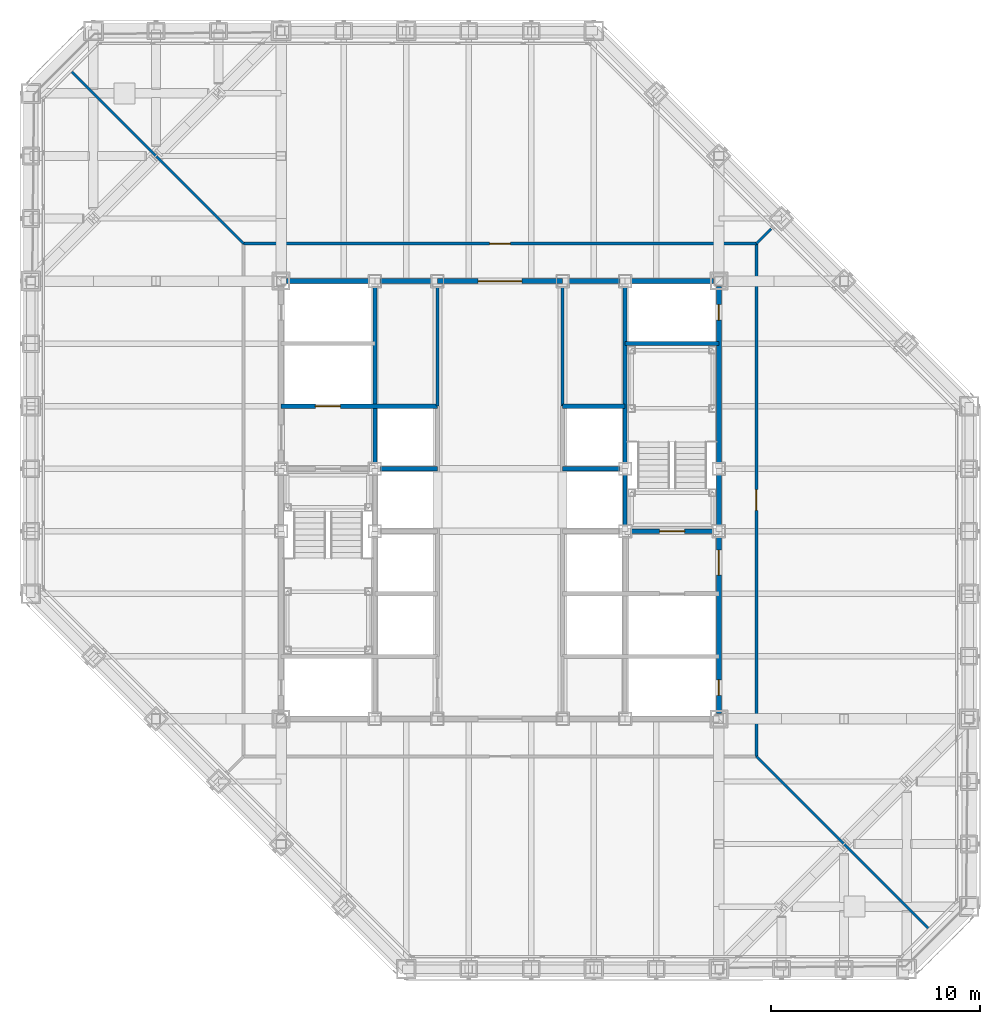
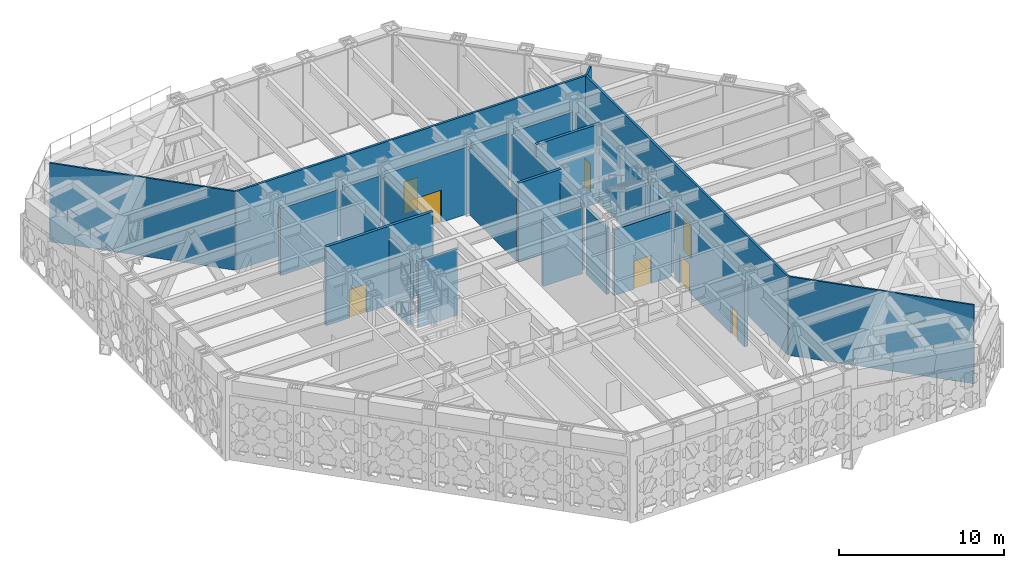
# One storey, part 11 of 28: 24 walls, 8 doors, 8 openings.
"""IFC4 building model written with IfcOpenShell, lengths in metres."""

from ifc_helpers import new_model, si_unit, direction, frame, frame_2d, origin, place, context, subcontext, project, spatial, rectangle, extrude, material, layer, layer_set, type_object, element, fill, save


model = new_model("IFC4")

# Units and contexts
model_context = context("Model", 3, precision=1e-05, world=origin(), true_north=direction((0.0, 1.0)))
body_context = subcontext(model_context, "Body", "Model", "MODEL_VIEW")
ifc_project = project(units=[si_unit("LENGTHUNIT", "METRE"), si_unit("AREAUNIT", "SQUARE_METRE"), si_unit("VOLUMEUNIT", "CUBIC_METRE"), si_unit("PLANEANGLEUNIT", "RADIAN"), si_unit("MASSUNIT", "GRAM", prefix="KILO")], contexts=[model_context])

# Site, building, storey
site_placement = place(None, origin())
site = spatial("IfcSite", under=ifc_project, at=site_placement, CompositionType="ELEMENT")
building_placement = place(site_placement, origin())
building = spatial("IfcBuilding", under=site, at=building_placement, Name="Chuquiago Exchange Tower", CompositionType="ELEMENT")
storey_placement = place(building_placement, frame((0.0, 0.0, 174.0)))
storey = spatial("IfcBuildingStorey", under=building, at=storey_placement, Name="L38", CompositionType="ELEMENT", Elevation=174.0)

# Walls
ifc_material_1 = material(Name="Concrete masonry, fully grouted", Category="masonry")
ifc_layer_1 = layer(ifc_material_1, 0.25)
ifc_layer_set_1 = layer_set([ifc_layer_1], Name="W1 core wall 250")
wall_type_1 = type_object("IfcWallType", Name="W1 core wall 250", PredefinedType="SOLIDWALL", material=ifc_layer_set_1)
wall_1_placement = place(storey_placement, frame((12.25, 33.0, 0.0), z_axis=(0.0, 0.0, 1.0), x_axis=(1.0, 0.0, 0.0)))
element("IfcWall", 1, at=wall_1_placement, inside=storey, type_object=wall_type_1, Name="CW-L38-11-0", PredefinedType="SOLIDWALL", context=body_context, shape_type="SweptSolid", body=[
    extrude(rectangle(XDim=4.0, YDim=0.25, at=frame_2d((2.0, 0.0))), origin(), (0.0, 0.0, 1.0), 4.9814453125),
])
for number, where, z_axis, x_axis, name in (
    (2, (16.75, 33.0, 0.0), (0.0, 0.0, 1.0), (1.0, 0.0, 0.0), "CW-L38-11-1"),
    (3, (25.75, 33.0, 0.0), (0.0, 0.0, 1.0), (1.0, 0.0, 0.0), "CW-L38-12-0"),
):
    element("IfcWall", number, at=place(storey_placement, frame(where, z_axis=z_axis, x_axis=x_axis)), inside=storey, type_object=wall_type_1, Name=name, PredefinedType="SOLIDWALL", context=body_context, shape_type="SweptSolid", body=[
        extrude(rectangle(XDim=2.5, YDim=0.25, at=frame_2d((1.25, 0.0))), origin(), (0.0, 0.0, 1.0), 4.9814453125),
    ])
wall_2_placement = place(storey_placement, frame((28.75, 33.0, 0.0), z_axis=(0.0, 0.0, 1.0), x_axis=(1.0, 0.0, 0.0)))
element("IfcWall", 4, at=wall_2_placement, inside=storey, type_object=wall_type_1, Name="CW-L38-12-1", PredefinedType="SOLIDWALL", context=body_context, shape_type="SweptSolid", body=[
    extrude(rectangle(XDim=4.0, YDim=0.25, at=frame_2d((2.0, 0.0))), origin(), (0.0, 0.0, 1.0), 4.9814453125),
])

# Wall, openings, doors
wall_3_placement = place(storey_placement, frame((33.0, 12.25, 0.0), z_axis=(0.0, 0.0, 1.0), x_axis=(0.0, 1.0, 0.0)))
wall_3 = element("IfcWall", 5, at=wall_3_placement, inside=storey, type_object=wall_type_1, Name="CW-L38-25-0", PredefinedType="SOLIDWALL", context=body_context, shape_type="SweptSolid", body=[
    extrude(rectangle(XDim=8.5, YDim=0.25, at=frame_2d((4.25, 0.0))), origin(), (0.0, 0.0, 1.0), 4.912841796875),
])
opening_1_placement = place(wall_3_placement, frame((6.64990234375, 0.0, 0.0)))
opening_1 = element("IfcOpeningElement", 6, at=opening_1_placement, cuts=wall_3, Name="Opening L38-006", PredefinedType="OPENING", context=body_context, shape_type="SweptSolid", body=[
    extrude(rectangle(XDim=1.199951171875, YDim=2.10009765625, at=frame_2d((0.60009765625, 1.050048828125))), frame((0.0, 0.135009765625, 0.0), z_axis=(0.0, -1.0, 0.0), x_axis=(1.0, 0.0, 0.0)), (0.0, 0.0, 1.0), 0.27001953125),
])
opening_2_placement = place(wall_3_placement, frame((0.875, 0.0, 0.0)))
opening_2 = element("IfcOpeningElement", 7, at=opening_2_placement, cuts=wall_3, Name="Opening L38-011", PredefinedType="OPENING", context=body_context, shape_type="SweptSolid", body=[
    extrude(rectangle(XDim=0.75, YDim=2.10009765625, at=frame_2d((0.375, 1.050048828125))), frame((0.0, 0.135009765625, 0.0), z_axis=(0.0, -1.0, 0.0), x_axis=(1.0, 0.0, 0.0)), (0.0, 0.0, 1.0), 0.27001953125),
])
ifc_material_2 = material(Name="Steel door, painted", Category="steel")
door_type_1 = type_object("IfcDoorType", Name="D5 firefighting lobby door 1200x2100", OperationType="SINGLE_SWING_LEFT", PredefinedType="DOOR", material=ifc_material_2)
door_1_placement = place(opening_1_placement, origin())
door_1 = element("IfcDoor", 8, at=door_1_placement, inside=storey, type_object=door_type_1, Name="Firefighting lobby 2 door", OperationType="SINGLE_SWING_RIGHT", OverallHeight=2.10009765625, OverallWidth=1.199951171875, PredefinedType="DOOR", context=body_context, shape_type="SweptSolid", body=[
    extrude(rectangle(XDim=1.199951171875, YDim=2.10009765625, at=frame_2d((0.60009765625, 1.050048828125))), frame((0.0, 0.02490234375, 0.0), z_axis=(0.0, -1.0, 0.0), x_axis=(1.0, 0.0, 0.0)), (0.0, 0.0, 1.0), 0.050048828125),
])
fill(opening_1, door_1)
ifc_material_3 = material(Name="Steel door, painted", Category="steel")
door_type_2 = type_object("IfcDoorType", Name="D6 riser access door 750x2100", OperationType="SINGLE_SWING_LEFT", PredefinedType="DOOR", material=ifc_material_3)
door_2_placement = place(opening_2_placement, origin())
door_2 = element("IfcDoor", 9, at=door_2_placement, inside=storey, type_object=door_type_2, Name="Riser RE1 door", OperationType="SINGLE_SWING_LEFT", OverallHeight=2.10009765625, OverallWidth=0.75, PredefinedType="DOOR", context=body_context, shape_type="SweptSolid", body=[
    extrude(rectangle(XDim=0.75, YDim=2.10009765625, at=frame_2d((0.375, 1.050048828125))), frame((0.0, 0.02490234375, 0.0), z_axis=(0.0, -1.0, 0.0), x_axis=(1.0, 0.0, 0.0)), (0.0, 0.0, 1.0), 0.050048828125),
])
fill(opening_2, door_2)

# Wall
wall_4_placement = place(storey_placement, frame((33.0, 21.25, 0.0), z_axis=(0.0, 0.0, 1.0), x_axis=(0.0, 1.0, 0.0)))
element("IfcWall", 10, at=wall_4_placement, inside=storey, type_object=wall_type_1, Name="CW-L38-25-1", PredefinedType="SOLIDWALL", context=body_context, shape_type="SweptSolid", body=[
    extrude(rectangle(XDim=2.5, YDim=0.25, at=frame_2d((1.25, 0.0))), origin(), (0.0, 0.0, 1.0), 4.912841796875),
])

# Wall, opening, door
wall_5_placement = place(storey_placement, frame((33.0, 24.25, 0.0), z_axis=(0.0, 0.0, 1.0), x_axis=(0.0, 1.0, 0.0)))
wall_5 = element("IfcWall", 11, at=wall_5_placement, inside=storey, type_object=wall_type_1, Name="CW-L38-25-2", PredefinedType="SOLIDWALL", context=body_context, shape_type="SweptSolid", body=[
    extrude(rectangle(XDim=8.5, YDim=0.25, at=frame_2d((4.25, 0.0))), origin(), (0.0, 0.0, 1.0), 4.912841796875),
])
opening_3_placement = place(wall_5_placement, frame((6.875, 0.0, 0.0)))
opening_3 = element("IfcOpeningElement", 12, at=opening_3_placement, cuts=wall_5, Name="Opening L38-012", PredefinedType="OPENING", context=body_context, shape_type="SweptSolid", body=[
    extrude(rectangle(XDim=0.75, YDim=2.10009765625, at=frame_2d((0.375, 1.050048828125))), frame((0.0, 0.135009765625, 0.0), z_axis=(0.0, -1.0, 0.0), x_axis=(1.0, 0.0, 0.0)), (0.0, 0.0, 1.0), 0.27001953125),
])
door_3_placement = place(opening_3_placement, origin())
door_3 = element("IfcDoor", 13, at=door_3_placement, inside=storey, type_object=door_type_2, Name="Riser RE2 door", OperationType="SINGLE_SWING_RIGHT", OverallHeight=2.10009765625, OverallWidth=0.75, PredefinedType="DOOR", context=body_context, shape_type="SweptSolid", body=[
    extrude(rectangle(XDim=0.75, YDim=2.10009765625, at=frame_2d((0.375, 1.050048828125))), frame((0.0, 0.02490234375, 0.0), z_axis=(0.0, -1.0, 0.0), x_axis=(1.0, 0.0, 0.0)), (0.0, 0.0, 1.0), 0.050048828125),
])
fill(opening_3, door_3)

wall_6_placement = place(storey_placement, frame((19.5, 33.0, 0.0), z_axis=(0.0, 0.0, 1.0), x_axis=(1.0, 0.0, 0.0)))
wall_6 = element("IfcWall", 14, at=wall_6_placement, inside=storey, type_object=wall_type_1, Name="CW-L38-LLN", PredefinedType="SOLIDWALL", context=body_context, shape_type="SweptSolid", body=[
    extrude(rectangle(XDim=6.0, YDim=0.25, at=frame_2d((3.0, 0.0))), origin(), (0.0, 0.0, 1.0), 4.9814453125),
])
opening_4_placement = place(wall_6_placement, frame((1.949951171875, 0.0, 0.0)))
opening_4 = element("IfcOpeningElement", 15, at=opening_4_placement, cuts=wall_6, Name="Opening L38-002", PredefinedType="OPENING", context=body_context, shape_type="SweptSolid", body=[
    extrude(rectangle(XDim=2.10009765625, YDim=2.39990234375, at=frame_2d((1.050048828125, 1.199951171875))), frame((0.0, 0.135009765625, 0.0), z_axis=(0.0, -1.0, 0.0), x_axis=(1.0, 0.0, 0.0)), (0.0, 0.0, 1.0), 0.27001953125),
])
ifc_material_4 = material(Name="Steel door, painted", Category="steel")
door_type_3 = type_object("IfcDoorType", Name="D11 plant room double door 2100x2400", OperationType="DOUBLE_DOOR_DOUBLE_SWING", PredefinedType="DOOR", material=ifc_material_4)
door_4_placement = place(opening_4_placement, origin())
door_4 = element("IfcDoor", 16, at=door_4_placement, inside=storey, type_object=door_type_3, Name="Plant room door N", OperationType="DOUBLE_DOOR_DOUBLE_SWING", OverallHeight=2.39990234375, OverallWidth=2.10009765625, PredefinedType="DOOR", context=body_context, shape_type="SweptSolid", body=[
    extrude(rectangle(XDim=2.10009765625, YDim=2.39990234375, at=frame_2d((1.050048828125, 1.199951171875))), frame((0.0, 0.02490234375, 0.0), z_axis=(0.0, -1.0, 0.0), x_axis=(1.0, 0.0, 0.0)), (0.0, 0.0, 1.0), 0.050048828125),
])
fill(opening_4, door_4)

ifc_material_5 = material(Name="Gypsum board on steel studs, acoustic insulation", Category="steel")
ifc_layer_2 = layer(ifc_material_5, 0.14990234375)
ifc_layer_set_2 = layer_set([ifc_layer_2], Name="W11 corridor wall 150")
wall_type_2 = type_object("IfcWallType", Name="W11 corridor wall 150", PredefinedType="PARTITIONING", material=ifc_layer_set_2)
wall_7_placement = place(storey_placement, frame((10.199951171875, 34.800048828125, 0.0), z_axis=(0.0, 0.0, 1.0), x_axis=(1.0, 0.0, 0.0)))
wall_7 = element("IfcWall", 17, at=wall_7_placement, inside=storey, type_object=wall_type_2, Name="PW-L38-PCN", PredefinedType="PARTITIONING", context=body_context, shape_type="SweptSolid", body=[
    extrude(rectangle(XDim=24.60009765625, YDim=0.14990234375, at=frame_2d((12.300048828125, 0.0))), origin(), (0.0, 0.0, 1.0), 5.840087890625),
])
opening_5_placement = place(wall_7_placement, frame((11.800048828125, 0.0, 0.0)))
opening_5 = element("IfcOpeningElement", 18, at=opening_5_placement, cuts=wall_7, Name="Opening L38-015", PredefinedType="OPENING", context=body_context, shape_type="SweptSolid", body=[
    extrude(rectangle(XDim=1.0, YDim=2.39990234375, at=frame_2d((0.5, 1.199951171875))), frame((0.0, 0.0849609375, 0.0), z_axis=(0.0, -1.0, 0.0), x_axis=(1.0, 0.0, 0.0)), (0.0, 0.0, 1.0), 0.169921875),
])
ifc_material_6 = material(Name="Timber door, laminate faced", Category="wood")
door_type_4 = type_object("IfcDoorType", Name="D9 room door 1000x2400", OperationType="SINGLE_SWING_LEFT", PredefinedType="DOOR", material=ifc_material_6)
door_5_placement = place(opening_5_placement, origin())
door_5 = element("IfcDoor", 19, at=door_5_placement, inside=storey, type_object=door_type_4, Name="Plant corridor north door", OperationType="SINGLE_SWING_RIGHT", OverallHeight=2.39990234375, OverallWidth=1.0, PredefinedType="DOOR", context=body_context, shape_type="SweptSolid", body=[
    extrude(rectangle(XDim=1.0, YDim=2.39990234375, at=frame_2d((0.5, 1.199951171875))), frame((0.0, 0.02490234375, 0.0), z_axis=(0.0, -1.0, 0.0), x_axis=(1.0, 0.0, 0.0)), (0.0, 0.0, 1.0), 0.050048828125),
])
fill(opening_5, door_5)

wall_8_placement = place(storey_placement, frame((34.800048828125, 10.199951171875, 0.0), z_axis=(0.0, 0.0, 1.0), x_axis=(0.0, 1.0, 0.0)))
wall_8 = element("IfcWall", 20, at=wall_8_placement, inside=storey, type_object=wall_type_2, Name="PW-L38-PCE", PredefinedType="PARTITIONING", context=body_context, shape_type="SweptSolid", body=[
    extrude(rectangle(XDim=24.60009765625, YDim=0.14990234375, at=frame_2d((12.300048828125, 0.0))), origin(), (0.0, 0.0, 1.0), 5.840087890625),
])
opening_6_placement = place(wall_8_placement, frame((11.800048828125, 0.0, 0.0)))
opening_6 = element("IfcOpeningElement", 21, at=opening_6_placement, cuts=wall_8, Name="Opening L38-017", PredefinedType="OPENING", context=body_context, shape_type="SweptSolid", body=[
    extrude(rectangle(XDim=1.0, YDim=2.39990234375, at=frame_2d((0.5, 1.199951171875))), frame((0.0, 0.0849609375, 0.0), z_axis=(0.0, -1.0, 0.0), x_axis=(1.0, 0.0, 0.0)), (0.0, 0.0, 1.0), 0.169921875),
])
door_6_placement = place(opening_6_placement, frame((1.0, 0.0, 0.0), z_axis=(0.0, 0.0, 1.0), x_axis=(-1.0, 0.0, 0.0)))
door_6 = element("IfcDoor", 22, at=door_6_placement, inside=storey, type_object=door_type_4, Name="Plant corridor east door", OperationType="SINGLE_SWING_LEFT", OverallHeight=2.39990234375, OverallWidth=1.0, PredefinedType="DOOR", context=body_context, shape_type="SweptSolid", body=[
    extrude(rectangle(XDim=1.0, YDim=2.39990234375, at=frame_2d((0.5, 1.199951171875))), frame((0.0, 0.02490234375, 0.0), z_axis=(0.0, -1.0, 0.0), x_axis=(1.0, 0.0, 0.0)), (0.0, 0.0, 1.0), 0.050048828125),
])
fill(opening_6, door_6)

# Walls
ifc_material_7 = material(Name="Concrete masonry, fully grouted", Category="masonry")
ifc_layer_3 = layer(ifc_material_7, 0.199951171875)
ifc_layer_set_3 = layer_set([ifc_layer_3], Name="W2 shaft wall 200")
wall_type_3 = type_object("IfcWallType", Name="W2 shaft wall 200", PredefinedType="SOLIDWALL", material=ifc_layer_set_3)
for number, where, z_axis, x_axis, name in (
    (23, (16.75, 24.0, 0.0), (0.0, 0.0, 1.0), (1.0, 0.0, 0.0), "CW-L38-05-1"),
    (24, (25.5, 24.0, 0.0), (0.0, 0.0, 1.0), (1.0, 0.0, 0.0), "CW-L38-06-0"),
):
    element("IfcWall", number, at=place(storey_placement, frame(where, z_axis=z_axis, x_axis=x_axis)), inside=storey, type_object=wall_type_3, Name=name, PredefinedType="SOLIDWALL", context=body_context, shape_type="SweptSolid", body=[
        extrude(rectangle(XDim=2.75, YDim=0.199951171875, at=frame_2d((1.375, 0.0))), origin(), (0.0, 0.0, 1.0), 4.889892578125),
    ])

# Wall, opening, door
wall_9_placement = place(storey_placement, frame((12.0, 27.0, 0.0), z_axis=(0.0, 0.0, 1.0), x_axis=(1.0, 0.0, 0.0)))
wall_9 = element("IfcWall", 25, at=wall_9_placement, inside=storey, type_object=wall_type_3, Name="CW-L38-07-0", PredefinedType="SOLIDWALL", context=body_context, shape_type="SweptSolid", body=[
    extrude(rectangle(XDim=7.5, YDim=0.199951171875, at=frame_2d((3.75, 0.0))), origin(), (0.0, 0.0, 1.0), 5.840087890625),
])
opening_7_placement = place(wall_9_placement, frame((1.64990234375, 0.0, 0.0)))
opening_7 = element("IfcOpeningElement", 26, at=opening_7_placement, cuts=wall_9, Name="Opening L38-007", PredefinedType="OPENING", context=body_context, shape_type="SweptSolid", body=[
    extrude(rectangle(XDim=1.199951171875, YDim=2.10009765625, at=frame_2d((0.60009765625, 1.050048828125))), frame((0.0, 0.10986328125, 0.0), z_axis=(0.0, -1.0, 0.0), x_axis=(1.0, 0.0, 0.0)), (0.0, 0.0, 1.0), 0.219970703125),
])
ifc_material_8 = material(Name="Stainless steel lift landing door", Category="steel")
door_type_5 = type_object("IfcDoorType", Name="LD2 firefighting lift landing door 1200x2100", OperationType="DOUBLE_DOOR_SLIDING", PredefinedType="DOOR", material=ifc_material_8)
door_7_placement = place(opening_7_placement, origin())
door_7 = element("IfcDoor", 27, at=door_7_placement, inside=storey, type_object=door_type_5, Name="Firefighting lift FL1 landing door", OperationType="DOUBLE_DOOR_SLIDING", OverallHeight=2.10009765625, OverallWidth=1.199951171875, PredefinedType="DOOR", context=body_context, shape_type="SweptSolid", body=[
    extrude(rectangle(XDim=1.199951171875, YDim=2.10009765625, at=frame_2d((0.60009765625, 1.050048828125))), frame((0.0, 0.02490234375, 0.0), z_axis=(0.0, -1.0, 0.0), x_axis=(1.0, 0.0, 0.0)), (0.0, 0.0, 1.0), 0.050048828125),
])
fill(opening_7, door_7)

# Walls
wall_10_placement = place(storey_placement, frame((25.5, 27.0, 0.0), z_axis=(0.0, 0.0, 1.0), x_axis=(1.0, 0.0, 0.0)))
element("IfcWall", 28, at=wall_10_placement, inside=storey, type_object=wall_type_3, Name="CW-L38-08-0", PredefinedType="SOLIDWALL", context=body_context, shape_type="SweptSolid", body=[
    extrude(rectangle(XDim=3.0, YDim=0.199951171875, at=frame_2d((1.5, 0.0))), origin(), (0.0, 0.0, 1.0), 5.840087890625),
])
wall_11_placement = place(storey_placement, frame((28.5, 30.0, 0.0), z_axis=(0.0, 0.0, 1.0), x_axis=(1.0, 0.0, 0.0)))
element("IfcWall", 29, at=wall_11_placement, inside=storey, type_object=wall_type_3, Name="CW-L38-10-0", PredefinedType="SOLIDWALL", context=body_context, shape_type="SweptSolid", body=[
    extrude(rectangle(XDim=4.5, YDim=0.199951171875, at=frame_2d((2.25, 0.0))), origin(), (0.0, 0.0, 1.0), 5.840087890625),
])
wall_12_placement = place(storey_placement, frame((16.5, 24.25, 0.0), z_axis=(0.0, 0.0, 1.0), x_axis=(0.0, 1.0, 0.0)))
element("IfcWall", 30, at=wall_12_placement, inside=storey, type_object=wall_type_3, Name="CW-L38-13-2", PredefinedType="SOLIDWALL", context=body_context, shape_type="SweptSolid", body=[
    extrude(rectangle(XDim=8.5, YDim=0.199951171875, at=frame_2d((4.25, 0.0))), origin(), (0.0, 0.0, 1.0), 4.912841796875),
])

# Wall, opening, door
wall_13_placement = place(storey_placement, frame((28.75, 21.0, 0.0), z_axis=(0.0, 0.0, 1.0), x_axis=(1.0, 0.0, 0.0)))
wall_13 = element("IfcWall", 31, at=wall_13_placement, inside=storey, type_object=wall_type_3, Name="CW-L38-17-1", PredefinedType="SOLIDWALL", context=body_context, shape_type="SweptSolid", body=[
    extrude(rectangle(XDim=4.0, YDim=0.199951171875, at=frame_2d((2.0, 0.0))), origin(), (0.0, 0.0, 1.0), 4.889892578125),
])
opening_8_placement = place(wall_13_placement, frame((1.39990234375, 0.0, 0.0)))
opening_8 = element("IfcOpeningElement", 32, at=opening_8_placement, cuts=wall_13, Name="Opening L38-005", PredefinedType="OPENING", context=body_context, shape_type="SweptSolid", body=[
    extrude(rectangle(XDim=1.199951171875, YDim=2.10009765625, at=frame_2d((0.60009765625, 1.050048828125))), frame((0.0, 0.10986328125, 0.0), z_axis=(0.0, -1.0, 0.0), x_axis=(1.0, 0.0, 0.0)), (0.0, 0.0, 1.0), 0.219970703125),
])
ifc_material_9 = material(Name="Steel door, painted", Category="steel")
door_type_6 = type_object("IfcDoorType", Name="D4 stair door 1200x2100", OperationType="SINGLE_SWING_LEFT", PredefinedType="DOOR", material=ifc_material_9)
door_8_placement = place(opening_8_placement, origin())
door_8 = element("IfcDoor", 33, at=door_8_placement, inside=storey, type_object=door_type_6, Name="Stair ST2 door", OperationType="SINGLE_SWING_LEFT", OverallHeight=2.10009765625, OverallWidth=1.199951171875, PredefinedType="DOOR", context=body_context, shape_type="SweptSolid", body=[
    extrude(rectangle(XDim=1.199951171875, YDim=2.10009765625, at=frame_2d((0.60009765625, 1.050048828125))), frame((0.0, 0.02490234375, 0.0), z_axis=(0.0, -1.0, 0.0), x_axis=(1.0, 0.0, 0.0)), (0.0, 0.0, 1.0), 0.050048828125),
])
fill(opening_8, door_8)

# Walls
wall_14_placement = place(storey_placement, frame((28.5, 21.25, 0.0), z_axis=(0.0, 0.0, 1.0), x_axis=(0.0, 1.0, 0.0)))
element("IfcWall", 34, at=wall_14_placement, inside=storey, type_object=wall_type_3, Name="CW-L38-24-1", PredefinedType="SOLIDWALL", context=body_context, shape_type="SweptSolid", body=[
    extrude(rectangle(XDim=2.5, YDim=0.199951171875, at=frame_2d((1.25, 0.0))), origin(), (0.0, 0.0, 1.0), 4.912841796875),
])
wall_15_placement = place(storey_placement, frame((28.5, 24.25, 0.0), z_axis=(0.0, 0.0, 1.0), x_axis=(0.0, 1.0, 0.0)))
element("IfcWall", 35, at=wall_15_placement, inside=storey, type_object=wall_type_3, Name="CW-L38-24-2", PredefinedType="SOLIDWALL", context=body_context, shape_type="SweptSolid", body=[
    extrude(rectangle(XDim=8.5, YDim=0.199951171875, at=frame_2d((4.25, 0.0))), origin(), (0.0, 0.0, 1.0), 4.912841796875),
])
ifc_material_10 = material(Name="Gypsum board on steel studs", Category="steel")
ifc_layer_4 = layer(ifc_material_10, 0.14990234375)
ifc_layer_set_4 = layer_set([ifc_layer_4], Name="W3 core partition 150")
wall_type_4 = type_object("IfcWallType", Name="W3 core partition 150", PredefinedType="PARTITIONING", material=ifc_layer_set_4)
for number, where, z_axis, x_axis, name in (
    (36, (19.5, 27.0, 0.0), (0.0, 0.0, 1.0), (0.0, 1.0, 0.0), "CW-L38-20-0"),
    (37, (25.5, 27.0, 0.0), (0.0, 0.0, 1.0), (0.0, 1.0, 0.0), "CW-L38-23-0"),
):
    element("IfcWall", number, at=place(storey_placement, frame(where, z_axis=z_axis, x_axis=x_axis)), inside=storey, type_object=wall_type_4, Name=name, PredefinedType="PARTITIONING", context=body_context, shape_type="SweptSolid", body=[
        extrude(rectangle(XDim=5.75, YDim=0.14990234375, at=frame_2d((2.875, 0.0))), origin(), (0.0, 0.0, 1.0), 4.864501953125),
    ])
ifc_material_11 = material(Name="Gypsum board on steel studs", Category="steel")
ifc_layer_5 = layer(ifc_material_11, 0.1201171875)
ifc_layer_set_5 = layer_set([ifc_layer_5], Name="W4 partition 120")
wall_type_5 = type_object("IfcWallType", Name="W4 partition 120", PredefinedType="PARTITIONING", material=ifc_layer_set_5)
wall_16_placement = place(storey_placement, frame((34.800048828125, 34.800048828125, 0.0), z_axis=(0.0, 0.0, 1.0), x_axis=(0.707106781187, 0.707106781187, 0.0)))
element("IfcWall", 38, at=wall_16_placement, inside=storey, type_object=wall_type_5, Name="PW-L38-PDNE0", PredefinedType="PARTITIONING", context=body_context, shape_type="SweptSolid", body=[
    extrude(rectangle(XDim=0.996826171875, YDim=0.1201171875, at=frame_2d((0.49853515625, 0.0))), origin(), (0.0, 0.0, 1.0), 5.840087890625),
])
for number, where, z_axis, x_axis, name in (
    (39, (10.199951171875, 34.800048828125, 0.0), (0.0, 0.0, 1.0), (-0.707106781187, 0.707106781187, 0.0), "PW-L38-PDNW0"),
    (40, (34.800048828125, 10.199951171875, 0.0), (0.0, 0.0, 1.0), (0.707106781187, -0.707106781187, 0.0), "PW-L38-PDSE0"),
):
    element("IfcWall", number, at=place(storey_placement, frame(where, z_axis=z_axis, x_axis=x_axis)), inside=storey, type_object=wall_type_5, Name=name, PredefinedType="PARTITIONING", context=body_context, shape_type="SweptSolid", body=[
        extrude(rectangle(XDim=11.67138671875, YDim=0.1201171875, at=frame_2d((5.835693359375, 0.0))), origin(), (0.0, 0.0, 1.0), 5.840087890625),
    ])

save(model, "model.ifc")
